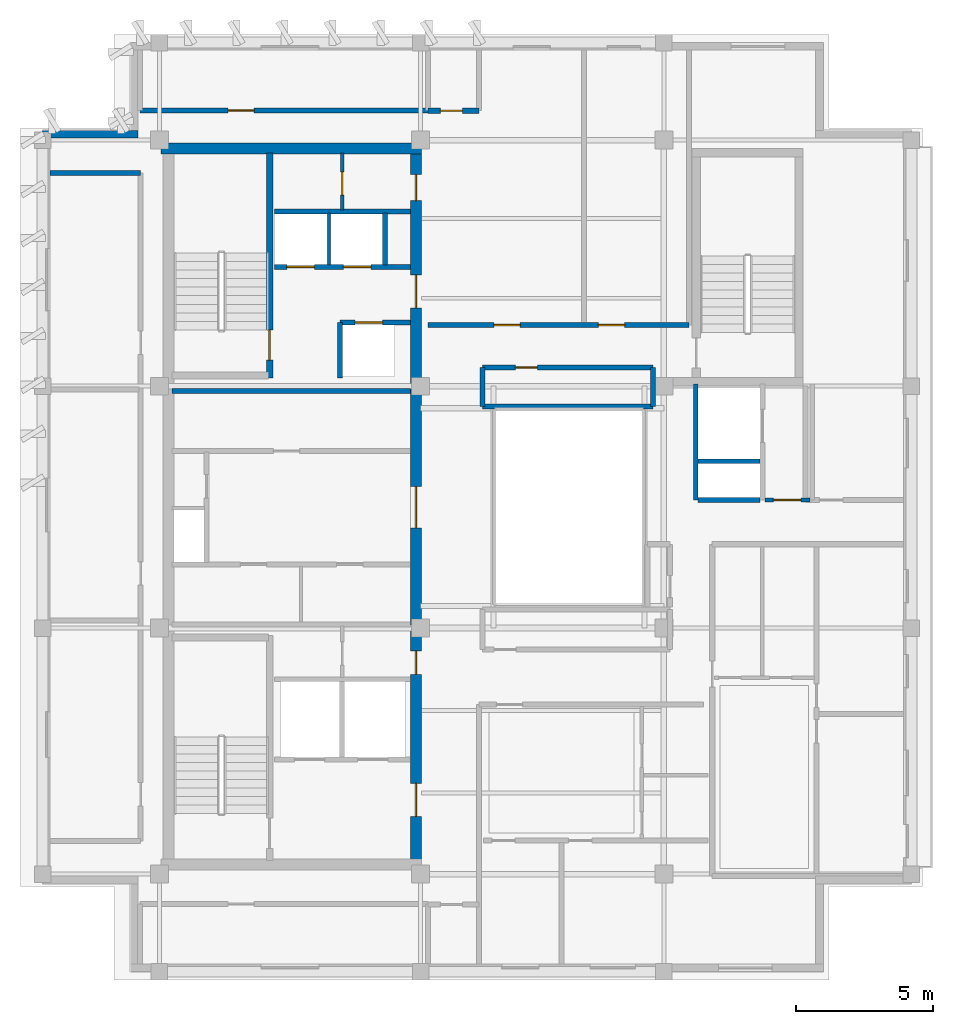
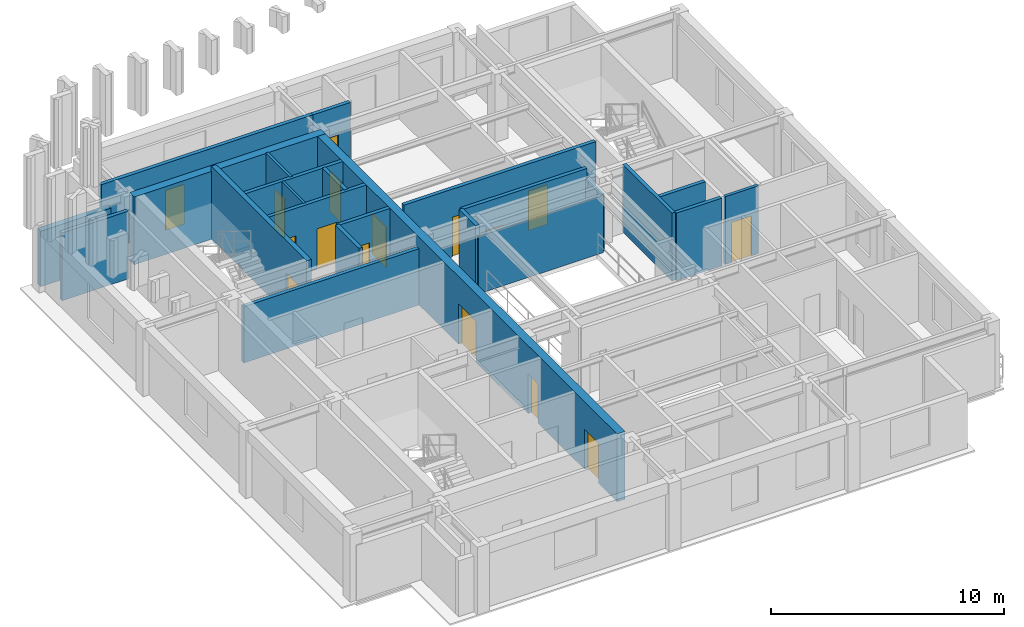
# One storey, part 4 of 9: 24 walls, 16 doors, 16 openings.
"""IFC4 building model written with IfcOpenShell, lengths in metres."""

from ifc_helpers import new_model, si_unit, direction, frame, frame_2d, origin, place, context, subcontext, project, spatial, rectangle, extrude, material, layer, layer_set, type_object, element, fill, save


model = new_model("IFC4")

# Units and contexts
model_context = context("Model", 3, precision=1e-05, world=origin(), true_north=direction((0.0, 1.0)))
body_context = subcontext(model_context, "Body", "Model", "MODEL_VIEW")
ifc_project = project(units=[si_unit("LENGTHUNIT", "METRE"), si_unit("AREAUNIT", "SQUARE_METRE"), si_unit("VOLUMEUNIT", "CUBIC_METRE"), si_unit("PLANEANGLEUNIT", "RADIAN"), si_unit("MASSUNIT", "GRAM", prefix="KILO")], contexts=[model_context])

# Site, building, storey
site_placement = place(None, origin())
site = spatial("IfcSite", under=ifc_project, at=site_placement, CompositionType="ELEMENT")
building_placement = place(site_placement, origin())
building = spatial("IfcBuilding", under=site, at=building_placement, Name="Kundavana Baori Tower", CompositionType="ELEMENT")
storey_placement = place(building_placement, frame((0.0, 0.0, 342.89990234375)))
storey = spatial("IfcBuildingStorey", under=building, at=storey_placement, Name="L85", CompositionType="ELEMENT", Elevation=342.89990234375)

# Wall
ifc_material_1 = material(Name="Concrete C50/60", Category="concrete")
ifc_layer_1 = layer(ifc_material_1, 0.39990234375, Name="WL-CORE-400")
ifc_layer_set_1 = layer_set([ifc_layer_1], Name="Concrete C50/60")
wall_type_1 = type_object("IfcWallType", Name="WL-CORE-400", PredefinedType="SHEAR", material=ifc_layer_set_1)
wall_1_placement = place(storey_placement, frame((15.5, 41.639892578125, 0.0), z_axis=(0.0, 0.0, 1.0), x_axis=(1.0, 0.0, 0.0)))
element("IfcWall", 1, at=wall_1_placement, inside=storey, type_object=wall_type_1, Name="L85 Offset Core North Shear Wall", PredefinedType="SHEAR", context=body_context, shape_type="SweptSolid", body=[
    extrude(rectangle(XDim=9.47998046875, YDim=0.39990234375, at=frame_2d((4.739990234375, 0.0))), origin(), (0.0, 0.0, 1.0), 3.550048828125),
])

# Wall, openings, doors
wall_2_placement = place(storey_placement, frame((24.780029296875, 15.739990234375, 0.0), z_axis=(0.0, 0.0, 1.0), x_axis=(0.0, 1.0, 0.0)))
wall_2 = element("IfcWall", 2, at=wall_2_placement, inside=storey, type_object=wall_type_1, Name="L85 Offset Core East Shear Wall", PredefinedType="SHEAR", context=body_context, shape_type="SweptSolid", body=[
    extrude(rectangle(XDim=25.760009765625, YDim=0.39990234375, at=frame_2d((12.8798828125, 0.0))), origin(), (0.0, 0.0, 1.0), 3.550048828125),
])
opening_1_placement = place(wall_2_placement, frame((1.610107421875, 0.0, 0.0)))
opening_1 = element("IfcOpeningElement", 3, at=opening_1_placement, cuts=wall_2, Name="Opening FD-120", PredefinedType="OPENING", context=body_context, shape_type="SweptSolid", body=[
    extrude(rectangle(XDim=1.199951171875, YDim=2.10009765625, at=frame_2d((0.60009765625, 1.050048828125))), frame((0.0, 0.2099609375, 0.0), z_axis=(0.0, -1.0, 0.0), x_axis=(1.0, 0.0, 0.0)), (0.0, 0.0, 1.0), 0.419921875),
])
opening_2_placement = place(wall_2_placement, frame((6.780029296875, 0.0, 0.0)))
opening_2 = element("IfcOpeningElement", 4, at=opening_2_placement, cuts=wall_2, Name="Opening FD-085", PredefinedType="OPENING", context=body_context, shape_type="SweptSolid", body=[
    extrude(rectangle(XDim=0.85009765625, YDim=2.06005859375, at=frame_2d((0.425048828125, 1.030029296875))), frame((0.0, 0.2099609375, 0.0), z_axis=(0.0, -1.0, 0.0), x_axis=(1.0, 0.0, 0.0)), (0.0, 0.0, 1.0), 0.419921875),
])
opening_3_placement = place(wall_2_placement, frame((12.110107421875, 0.0, 0.0)))
opening_3 = element("IfcOpeningElement", 5, at=opening_3_placement, cuts=wall_2, Name="Opening FD-150", PredefinedType="OPENING", context=body_context, shape_type="SweptSolid", body=[
    extrude(rectangle(XDim=1.5, YDim=2.1201171875, at=frame_2d((0.75, 1.06005859375))), frame((0.0, 0.2099609375, 0.0), z_axis=(0.0, -1.0, 0.0), x_axis=(1.0, 0.0, 0.0)), (0.0, 0.0, 1.0), 0.419921875),
])
opening_4_placement = place(wall_2_placement, frame((20.110107421875, 0.0, 0.0)))
opening_4 = element("IfcOpeningElement", 6, at=opening_4_placement, cuts=wall_2, Name="Opening FD-122", PredefinedType="OPENING", context=body_context, shape_type="SweptSolid", body=[
    extrude(rectangle(XDim=1.199951171875, YDim=2.1201171875, at=frame_2d((0.60009765625, 1.06005859375))), frame((0.0, 0.2099609375, 0.0), z_axis=(0.0, -1.0, 0.0), x_axis=(1.0, 0.0, 0.0)), (0.0, 0.0, 1.0), 0.419921875),
])
opening_5_placement = place(wall_2_placement, frame((24.010009765625, 0.0, 0.0)))
opening_5 = element("IfcOpeningElement", 7, at=opening_5_placement, cuts=wall_2, Name="Opening FD-095", PredefinedType="OPENING", context=body_context, shape_type="SweptSolid", body=[
    extrude(rectangle(XDim=0.949951171875, YDim=2.10009765625, at=frame_2d((0.47509765625, 1.050048828125))), frame((0.0, 0.2099609375, 0.0), z_axis=(0.0, -1.0, 0.0), x_axis=(1.0, 0.0, 0.0)), (0.0, 0.0, 1.0), 0.419921875),
])
ifc_material_2 = material(Name="Galvanised Steel Fire-Rated Door Leaf", Category="steel")
door_type_1 = type_object("IfcDoorType", Name="DR-FD120-1200", OperationType="NOTDEFINED", PredefinedType="DOOR", material=ifc_material_2)
door_1_placement = place(opening_1_placement, frame((1.199951171875, 0.0, 0.0), z_axis=(0.0, 0.0, 1.0), x_axis=(-1.0, 0.0, 0.0)))
door_1 = element("IfcDoor", 8, at=door_1_placement, inside=storey, type_object=door_type_1, Name="DR-L85-FFLOB-E", OperationType="SINGLE_SWING_RIGHT", OverallHeight=2.10009765625, OverallWidth=1.199951171875, PredefinedType="DOOR", context=body_context, shape_type="SweptSolid", body=[
    extrude(rectangle(XDim=1.199951171875, YDim=2.10009765625, at=frame_2d((0.60009765625, 1.050048828125))), frame((0.0, 0.02490234375, 0.0), z_axis=(0.0, -1.0, 0.0), x_axis=(1.0, 0.0, 0.0)), (0.0, 0.0, 1.0), 0.050048828125),
])
fill(opening_1, door_1)
ifc_material_3 = material(Name="Galvanised Steel Fire-Rated Door Leaf", Category="steel")
door_type_2 = type_object("IfcDoorType", Name="DR-FD60-1200", OperationType="NOTDEFINED", PredefinedType="DOOR", material=ifc_material_3)
door_2_placement = place(opening_4_placement, frame((1.199951171875, 0.0, 0.0), z_axis=(0.0, 0.0, 1.0), x_axis=(-1.0, 0.0, 0.0)))
door_2 = element("IfcDoor", 9, at=door_2_placement, inside=storey, type_object=door_type_2, Name="DR-L85-HRLOB-E", OperationType="SINGLE_SWING_RIGHT", OverallHeight=2.1201171875, OverallWidth=1.199951171875, PredefinedType="DOOR", context=body_context, shape_type="SweptSolid", body=[
    extrude(rectangle(XDim=1.199951171875, YDim=2.1201171875, at=frame_2d((0.60009765625, 1.06005859375))), frame((0.0, 0.02490234375, 0.0), z_axis=(0.0, -1.0, 0.0), x_axis=(1.0, 0.0, 0.0)), (0.0, 0.0, 1.0), 0.050048828125),
])
fill(opening_4, door_2)
ifc_material_4 = material(Name="Galvanised Steel Fire-Rated Door Leaf", Category="steel")
door_type_3 = type_object("IfcDoorType", Name="DR-FD60-1500", OperationType="NOTDEFINED", PredefinedType="DOOR", material=ifc_material_4)
door_3_placement = place(opening_3_placement, frame((1.5, 0.0, 0.0), z_axis=(0.0, 0.0, 1.0), x_axis=(-1.0, 0.0, 0.0)))
door_3 = element("IfcDoor", 10, at=door_3_placement, inside=storey, type_object=door_type_3, Name="DR-L85-LIFTHALL-E", OperationType="SINGLE_SWING_LEFT", OverallHeight=2.1201171875, OverallWidth=1.5, PredefinedType="DOOR", context=body_context, shape_type="SweptSolid", body=[
    extrude(rectangle(XDim=1.5, YDim=2.1201171875, at=frame_2d((0.75, 1.06005859375))), frame((0.0, 0.02490234375, 0.0), z_axis=(0.0, -1.0, 0.0), x_axis=(1.0, 0.0, 0.0)), (0.0, 0.0, 1.0), 0.050048828125),
])
fill(opening_3, door_3)
ifc_material_5 = material(Name="Galvanised Steel Fire-Rated Door Leaf", Category="steel")
door_type_4 = type_object("IfcDoorType", Name="DR-FD60-850", OperationType="NOTDEFINED", PredefinedType="DOOR", material=ifc_material_5)
door_4_placement = place(opening_2_placement, frame((0.85009765625, 0.0, 0.0), z_axis=(0.0, 0.0, 1.0), x_axis=(-1.0, 0.0, 0.0)))
door_4 = element("IfcDoor", 11, at=door_4_placement, inside=storey, type_object=door_type_4, Name="DR-L85-CSMK2", OperationType="SINGLE_SWING_RIGHT", OverallHeight=2.06005859375, OverallWidth=0.85009765625, PredefinedType="DOOR", context=body_context, shape_type="SweptSolid", body=[
    extrude(rectangle(XDim=0.85009765625, YDim=2.06005859375, at=frame_2d((0.425048828125, 1.030029296875))), frame((0.0, 0.02490234375, 0.0), z_axis=(0.0, -1.0, 0.0), x_axis=(1.0, 0.0, 0.0)), (0.0, 0.0, 1.0), 0.050048828125),
])
fill(opening_2, door_4)
ifc_material_6 = material(Name="Engineered Teak Fire-Rated Timber Door Leaf", Category="wood")
door_type_5 = type_object("IfcDoorType", Name="DR-FD60-950", OperationType="NOTDEFINED", PredefinedType="DOOR", material=ifc_material_6)
door_5_placement = place(opening_5_placement, frame((0.949951171875, 0.0, 0.0), z_axis=(0.0, 0.0, 1.0), x_axis=(-1.0, 0.0, 0.0)))
door_5 = element("IfcDoor", 12, at=door_5_placement, inside=storey, type_object=door_type_5, Name="DR-L85-CSRV2", OperationType="SINGLE_SWING_RIGHT", OverallHeight=2.10009765625, OverallWidth=0.949951171875, PredefinedType="DOOR", context=body_context, shape_type="SweptSolid", body=[
    extrude(rectangle(XDim=0.949951171875, YDim=2.10009765625, at=frame_2d((0.47509765625, 1.050048828125))), frame((0.0, 0.02490234375, 0.0), z_axis=(0.0, -1.0, 0.0), x_axis=(1.0, 0.0, 0.0)), (0.0, 0.0, 1.0), 0.050048828125),
])
fill(opening_5, door_5)

# Wall, opening, door
wall_3_placement = place(storey_placement, frame((19.4599609375, 33.300048828125, 0.0), z_axis=(0.0, 0.0, 1.0), x_axis=(0.0, 1.0, 0.0)))
wall_3 = element("IfcWall", 13, at=wall_3_placement, inside=storey, type_object=wall_type_1, Name="WL-L85-ST2-E", PredefinedType="SHEAR", context=body_context, shape_type="SweptSolid", body=[
    extrude(rectangle(XDim=8.179931640625, YDim=0.239990234375, at=frame_2d((4.08984375, 0.0))), origin(), (0.0, 0.0, 1.0), 3.800048828125),
])
opening_6_placement = place(wall_3_placement, frame((0.64990234375, 0.0, 0.0)))
opening_6 = element("IfcOpeningElement", 14, at=opening_6_placement, cuts=wall_3, Name="Opening FD-110", PredefinedType="OPENING", context=body_context, shape_type="SweptSolid", body=[
    extrude(rectangle(XDim=1.10009765625, YDim=2.10009765625, at=frame_2d((0.550048828125, 1.050048828125))), frame((0.0, 0.1298828125, 0.0), z_axis=(0.0, -1.0, 0.0), x_axis=(1.0, 0.0, 0.0)), (0.0, 0.0, 1.0), 0.260009765625),
])
ifc_material_7 = material(Name="Galvanised Steel Fire-Rated Door Leaf", Category="steel")
door_type_6 = type_object("IfcDoorType", Name="DR-FD120-1100", OperationType="NOTDEFINED", PredefinedType="DOOR", material=ifc_material_7)
door_6_placement = place(opening_6_placement, origin())
door_6 = element("IfcDoor", 15, at=door_6_placement, inside=storey, type_object=door_type_6, Name="DR-L85-ST2", OperationType="SINGLE_SWING_RIGHT", OverallHeight=2.10009765625, OverallWidth=1.10009765625, PredefinedType="DOOR", context=body_context, shape_type="SweptSolid", body=[
    extrude(rectangle(XDim=1.10009765625, YDim=2.10009765625, at=frame_2d((0.550048828125, 1.050048828125))), frame((0.0, 0.02490234375, 0.0), z_axis=(0.0, -1.0, 0.0), x_axis=(1.0, 0.0, 0.0)), (0.0, 0.0, 1.0), 0.050048828125),
])
fill(opening_6, door_6)

# Walls
ifc_material_8 = material(Name="Red-Buff Dholpur Sandstone Cladding on Concrete C40/50", Category="masonry")
ifc_layer_2 = layer(ifc_material_8, 0.280029296875, Name="WL-EXT-SAND-280")
ifc_layer_set_2 = layer_set([ifc_layer_2], Name="Red-Buff Dholpur Sandstone Cladding on Concrete C40/50")
wall_type_2 = type_object("IfcWallType", Name="WL-EXT-SAND-280", PredefinedType="STANDARD", material=ifc_layer_set_2)
wall_4_placement = place(storey_placement, frame((14.679931640625, 42.159912109375, 0.0), z_axis=(0.0, 0.0, 1.0), x_axis=(-1.0, 0.0, 0.0)))
element("IfcWall", 16, at=wall_4_placement, inside=storey, type_object=wall_type_2, Name="L85 Exterior Insulated Facade Wall 09", PredefinedType="STANDARD", context=body_context, shape_type="SweptSolid", body=[
    extrude(rectangle(XDim=3.47998046875, YDim=0.280029296875, at=frame_2d((1.739990234375, 0.0))), origin(), (0.0, 0.0, 1.0), 2.91015625),
])
ifc_material_9 = material(Name="Acoustic Gypsum Plasterboard on Galvanised Steel Studs", Category="steel")
ifc_layer_3 = layer(ifc_material_9, 0.1201171875, Name="WL-PART-120")
ifc_layer_set_3 = layer_set([ifc_layer_3], Name="Acoustic Gypsum Plasterboard on Galvanised Steel Studs")
wall_type_3 = type_object("IfcWallType", Name="WL-PART-120", PredefinedType="PARTITIONING", material=ifc_layer_set_3)
wall_5_placement = place(storey_placement, frame((21.6201171875, 37.39990234375, 0.0), z_axis=(0.0, 0.0, 1.0), x_axis=(0.0, 1.0, 0.0)))
element("IfcWall", 17, at=wall_5_placement, inside=storey, type_object=wall_type_3, Name="WL-L85-HR-DIV1", PredefinedType="PARTITIONING", context=body_context, shape_type="SweptSolid", body=[
    extrude(rectangle(XDim=1.900146484375, YDim=0.1201171875, at=frame_2d((0.9501953125, 0.0))), origin(), (0.0, 0.0, 1.0), 3.550048828125),
])

# Wall, opening, door
wall_6_placement = place(storey_placement, frame((22.10009765625, 39.39990234375, 0.0), z_axis=(0.0, 0.0, 1.0), x_axis=(0.0, 1.0, 0.0)))
wall_6 = element("IfcWall", 18, at=wall_6_placement, inside=storey, type_object=wall_type_3, Name="WL-L85-CSRV-D1", PredefinedType="PARTITIONING", context=body_context, shape_type="SweptSolid", body=[
    extrude(rectangle(XDim=2.080078125, YDim=0.1201171875, at=frame_2d((1.0400390625, 0.0))), origin(), (0.0, 0.0, 1.0), 3.550048828125),
])
opening_7_placement = place(wall_6_placement, frame((0.550048828125, 0.0, 0.0)))
opening_7 = element("IfcOpeningElement", 19, at=opening_7_placement, cuts=wall_6, Name="Opening FD-085", PredefinedType="OPENING", context=body_context, shape_type="SweptSolid", body=[
    extrude(rectangle(XDim=0.85009765625, YDim=2.06005859375, at=frame_2d((0.425048828125, 1.030029296875))), frame((0.0, 0.070068359375, 0.0), z_axis=(0.0, -1.0, 0.0), x_axis=(1.0, 0.0, 0.0)), (0.0, 0.0, 1.0), 0.14013671875),
])
door_7_placement = place(opening_7_placement, origin())
door_7 = element("IfcDoor", 20, at=door_7_placement, inside=storey, type_object=door_type_4, Name="DR-L85-CSRV1", OperationType="SINGLE_SWING_LEFT", OverallHeight=2.06005859375, OverallWidth=0.85009765625, PredefinedType="DOOR", context=body_context, shape_type="SweptSolid", body=[
    extrude(rectangle(XDim=0.85009765625, YDim=2.06005859375, at=frame_2d((0.425048828125, 1.030029296875))), frame((0.0, 0.02490234375, 0.0), z_axis=(0.0, -1.0, 0.0), x_axis=(1.0, 0.0, 0.0)), (0.0, 0.0, 1.0), 0.050048828125),
])
fill(opening_7, door_7)

ifc_material_10 = material(Name="Fire-Rated Gypsum Drywall on Galvanised Steel Studs", Category="steel")
ifc_layer_4 = layer(ifc_material_10, 0.14990234375, Name="WL-PART-150")
ifc_layer_set_4 = layer_set([ifc_layer_4], Name="Fire-Rated Gypsum Drywall on Galvanised Steel Studs")
wall_type_4 = type_object("IfcWallType", Name="WL-PART-150", PredefinedType="PARTITIONING", material=ifc_layer_set_4)
wall_7_placement = place(storey_placement, frame((37.47998046875, 28.860107421875, 0.0), z_axis=(0.0, 0.0, 1.0), x_axis=(1.0, 0.0, 0.0)))
wall_7 = element("IfcWall", 21, at=wall_7_placement, inside=storey, type_object=wall_type_4, Name="WL-L85-SVLOB-S", PredefinedType="PARTITIONING", context=body_context, shape_type="SweptSolid", body=[
    extrude(rectangle(XDim=1.64013671875, YDim=0.14990234375, at=frame_2d((0.820068359375, 0.0))), origin(), (0.0, 0.0, 1.0), 3.550048828125),
])
opening_8_placement = place(wall_7_placement, frame((0.300048828125, 0.0, 0.0)))
opening_8 = element("IfcOpeningElement", 22, at=opening_8_placement, cuts=wall_7, Name="Opening FD-100", PredefinedType="OPENING", context=body_context, shape_type="SweptSolid", body=[
    extrude(rectangle(XDim=1.0, YDim=2.10009765625, at=frame_2d((0.5, 1.050048828125))), frame((0.0, 0.0849609375, 0.0), z_axis=(0.0, -1.0, 0.0), x_axis=(1.0, 0.0, 0.0)), (0.0, 0.0, 1.0), 0.169921875),
])
ifc_material_11 = material(Name="Engineered Teak Fire-Rated Timber Door Leaf", Category="wood")
door_type_7 = type_object("IfcDoorType", Name="DR-FD60-1000", OperationType="NOTDEFINED", PredefinedType="DOOR", material=ifc_material_11)
door_8_placement = place(opening_8_placement, origin())
door_8 = element("IfcDoor", 23, at=door_8_placement, inside=storey, type_object=door_type_7, Name="DR-L85-SVLOB-OUT", OperationType="SINGLE_SWING_LEFT", OverallHeight=2.10009765625, OverallWidth=1.0, PredefinedType="DOOR", context=body_context, shape_type="SweptSolid", body=[
    extrude(rectangle(XDim=1.0, YDim=2.10009765625, at=frame_2d((0.5, 1.050048828125))), frame((0.0, 0.02490234375, 0.0), z_axis=(0.0, -1.0, 0.0), x_axis=(1.0, 0.0, 0.0)), (0.0, 0.0, 1.0), 0.050048828125),
])
fill(opening_8, door_8)

# Wall, openings, doors
ifc_material_12 = material(Name="Autoclaved Aerated Concrete Blockwork Masonry", Category="masonry")
ifc_layer_5 = layer(ifc_material_12, 0.18505859375, Name="WL-PART-180")
ifc_layer_set_5 = layer_set([ifc_layer_5], Name="Autoclaved Aerated Concrete Blockwork Masonry")
wall_type_5 = type_object("IfcWallType", Name="WL-PART-180", PredefinedType="SOLIDWALL", material=ifc_layer_set_5)
wall_8_placement = place(storey_placement, frame((25.219970703125, 35.219970703125, 0.0), z_axis=(0.0, 0.0, 1.0), x_axis=(1.0, 0.0, 0.0)))
wall_8 = element("IfcWall", 24, at=wall_8_placement, inside=storey, type_object=wall_type_5, Name="WL-L85-RN", PredefinedType="SOLIDWALL", context=body_context, shape_type="SweptSolid", body=[
    extrude(rectangle(XDim=9.5, YDim=0.18505859375, at=frame_2d((4.75, 0.0))), origin(), (0.0, 0.0, 1.0), 3.550048828125),
])
opening_9_placement = place(wall_8_placement, frame((2.39990234375, 0.0, 0.0)))
opening_9 = element("IfcOpeningElement", 25, at=opening_9_placement, cuts=wall_8, Name="Opening ID-095", PredefinedType="OPENING", context=body_context, shape_type="SweptSolid", body=[
    extrude(rectangle(XDim=0.949951171875, YDim=2.080078125, at=frame_2d((0.47509765625, 1.0400390625))), frame((0.0, 0.1025390625, 0.0), z_axis=(0.0, -1.0, 0.0), x_axis=(1.0, 0.0, 0.0)), (0.0, 0.0, 1.0), 0.205078125),
])
opening_10_placement = place(wall_8_placement, frame((6.199951171875, 0.0, 0.0)))
opening_10 = element("IfcOpeningElement", 26, at=opening_10_placement, cuts=wall_8, Name="Opening ID-095", PredefinedType="OPENING", context=body_context, shape_type="SweptSolid", body=[
    extrude(rectangle(XDim=0.949951171875, YDim=2.080078125, at=frame_2d((0.47509765625, 1.0400390625))), frame((0.0, 0.1025390625, 0.0), z_axis=(0.0, -1.0, 0.0), x_axis=(1.0, 0.0, 0.0)), (0.0, 0.0, 1.0), 0.205078125),
])
ifc_material_13 = material(Name="Engineered Teak Solid-Core Timber Veneer", Category="wood")
door_type_8 = type_object("IfcDoorType", Name="DR-INT-950", OperationType="NOTDEFINED", PredefinedType="DOOR", material=ifc_material_13)
door_9_placement = place(opening_9_placement, origin())
door_9 = element("IfcDoor", 27, at=door_9_placement, inside=storey, type_object=door_type_8, Name="DR-L85-RLN1", OperationType="SINGLE_SWING_LEFT", OverallHeight=2.080078125, OverallWidth=0.949951171875, PredefinedType="DOOR", context=body_context, shape_type="SweptSolid", body=[
    extrude(rectangle(XDim=0.949951171875, YDim=2.080078125, at=frame_2d((0.47509765625, 1.0400390625))), frame((0.0, 0.02490234375, 0.0), z_axis=(0.0, -1.0, 0.0), x_axis=(1.0, 0.0, 0.0)), (0.0, 0.0, 1.0), 0.050048828125),
])
fill(opening_9, door_9)
door_10_placement = place(opening_10_placement, origin())
door_10 = element("IfcDoor", 28, at=door_10_placement, inside=storey, type_object=door_type_8, Name="DR-L85-RLN2", OperationType="SINGLE_SWING_RIGHT", OverallHeight=2.080078125, OverallWidth=0.949951171875, PredefinedType="DOOR", context=body_context, shape_type="SweptSolid", body=[
    extrude(rectangle(XDim=0.949951171875, YDim=2.080078125, at=frame_2d((0.47509765625, 1.0400390625))), frame((0.0, 0.02490234375, 0.0), z_axis=(0.0, -1.0, 0.0), x_axis=(1.0, 0.0, 0.0)), (0.0, 0.0, 1.0), 0.050048828125),
])
fill(opening_10, door_10)

# Wall, opening, door
wall_9_placement = place(storey_placement, frame((14.75, 43.030029296875, 0.0), z_axis=(0.0, 0.0, 1.0), x_axis=(1.0, 0.0, 0.0)))
wall_9 = element("IfcWall", 29, at=wall_9_placement, inside=storey, type_object=wall_type_5, Name="WL-L85-RNC", PredefinedType="SOLIDWALL", context=body_context, shape_type="SweptSolid", body=[
    extrude(rectangle(XDim=10.469970703125, YDim=0.18505859375, at=frame_2d((5.23486328125, 0.0))), origin(), (0.0, 0.0, 1.0), 3.550048828125),
])
opening_11_placement = place(wall_9_placement, frame((3.199951171875, 0.0, 0.0)))
opening_11 = element("IfcOpeningElement", 30, at=opening_11_placement, cuts=wall_9, Name="Opening ID-095", PredefinedType="OPENING", context=body_context, shape_type="SweptSolid", body=[
    extrude(rectangle(XDim=0.949951171875, YDim=2.080078125, at=frame_2d((0.47509765625, 1.0400390625))), frame((0.0, 0.1025390625, 0.0), z_axis=(0.0, -1.0, 0.0), x_axis=(1.0, 0.0, 0.0)), (0.0, 0.0, 1.0), 0.205078125),
])
door_11_placement = place(opening_11_placement, origin())
door_11 = element("IfcDoor", 31, at=door_11_placement, inside=storey, type_object=door_type_8, Name="DR-L85-RMNW", OperationType="SINGLE_SWING_RIGHT", OverallHeight=2.080078125, OverallWidth=0.949951171875, PredefinedType="DOOR", context=body_context, shape_type="SweptSolid", body=[
    extrude(rectangle(XDim=0.949951171875, YDim=2.080078125, at=frame_2d((0.47509765625, 1.0400390625))), frame((0.0, 0.02490234375, 0.0), z_axis=(0.0, -1.0, 0.0), x_axis=(1.0, 0.0, 0.0)), (0.0, 0.0, 1.0), 0.050048828125),
])
fill(opening_11, door_11)

# Wall
wall_10_placement = place(storey_placement, frame((11.47998046875, 40.75, 0.0), z_axis=(0.0, 0.0, 1.0), x_axis=(1.0, 0.0, 0.0)))
element("IfcWall", 32, at=wall_10_placement, inside=storey, type_object=wall_type_5, Name="WL-L85-RWN", PredefinedType="SOLIDWALL", context=body_context, shape_type="SweptSolid", body=[
    extrude(rectangle(XDim=3.2900390625, YDim=0.18505859375, at=frame_2d((1.64501953125, 0.0))), origin(), (0.0, 0.0, 1.0), 3.550048828125),
])

# Wall, opening, door
wall_11_placement = place(storey_placement, frame((25.219970703125, 43.02001953125, 0.0), z_axis=(0.0, 0.0, 1.0), x_axis=(1.0, 0.0, 0.0)))
wall_11 = element("IfcWall", 33, at=wall_11_placement, inside=storey, type_object=wall_type_5, Name="WL-L85-CNCS", PredefinedType="SOLIDWALL", context=body_context, shape_type="SweptSolid", body=[
    extrude(rectangle(XDim=1.860107421875, YDim=0.18505859375, at=frame_2d((0.93017578125, 0.0))), origin(), (0.0, 0.0, 1.0), 3.550048828125),
])
opening_12_placement = place(wall_11_placement, frame((0.449951171875, 0.0, 0.0)))
opening_12 = element("IfcOpeningElement", 34, at=opening_12_placement, cuts=wall_11, Name="Opening WD-080", PredefinedType="OPENING", context=body_context, shape_type="SweptSolid", body=[
    extrude(rectangle(XDim=0.800048828125, YDim=2.050048828125, at=frame_2d((0.39990234375, 1.02490234375))), frame((0.0, 0.1025390625, 0.0), z_axis=(0.0, -1.0, 0.0), x_axis=(1.0, 0.0, 0.0)), (0.0, 0.0, 1.0), 0.205078125),
])
ifc_material_14 = material(Name="Engineered Teak Solid-Core Timber Veneer", Category="wood")
door_type_9 = type_object("IfcDoorType", Name="DR-WET-800", OperationType="NOTDEFINED", PredefinedType="DOOR", material=ifc_material_14)
door_12_placement = place(opening_12_placement, frame((0.800048828125, 0.0, 0.0), z_axis=(0.0, 0.0, 1.0), x_axis=(-1.0, 0.0, 0.0)))
door_12 = element("IfcDoor", 35, at=door_12_placement, inside=storey, type_object=door_type_9, Name="DR-L85-CSCN", OperationType="SINGLE_SWING_LEFT", OverallHeight=2.050048828125, OverallWidth=0.800048828125, PredefinedType="DOOR", context=body_context, shape_type="SweptSolid", body=[
    extrude(rectangle(XDim=0.800048828125, YDim=2.050048828125, at=frame_2d((0.39990234375, 1.02490234375))), frame((0.0, 0.02490234375, 0.0), z_axis=(0.0, -1.0, 0.0), x_axis=(1.0, 0.0, 0.0)), (0.0, 0.0, 1.0), 0.050048828125),
])
fill(opening_12, door_12)

wall_12_placement = place(storey_placement, frame((27.199951171875, 33.679931640625, 0.0), z_axis=(0.0, 0.0, 1.0), x_axis=(1.0, 0.0, 0.0)))
wall_12 = element("IfcWall", 36, at=wall_12_placement, inside=storey, type_object=wall_type_5, Name="WL-L85-CNAN", PredefinedType="SOLIDWALL", context=body_context, shape_type="SweptSolid", body=[
    extrude(rectangle(XDim=6.199951171875, YDim=0.18505859375, at=frame_2d((3.10009765625, 0.0))), origin(), (0.0, 0.0, 1.0), 3.550048828125),
])
opening_13_placement = place(wall_12_placement, frame((1.199951171875, 0.0, 0.0)))
opening_13 = element("IfcOpeningElement", 37, at=opening_13_placement, cuts=wall_12, Name="Opening WD-080", PredefinedType="OPENING", context=body_context, shape_type="SweptSolid", body=[
    extrude(rectangle(XDim=0.800048828125, YDim=2.050048828125, at=frame_2d((0.39990234375, 1.02490234375))), frame((0.0, 0.1025390625, 0.0), z_axis=(0.0, -1.0, 0.0), x_axis=(1.0, 0.0, 0.0)), (0.0, 0.0, 1.0), 0.205078125),
])
door_13_placement = place(opening_13_placement, frame((0.800048828125, 0.0, 0.0), z_axis=(0.0, 0.0, 1.0), x_axis=(-1.0, 0.0, 0.0)))
door_13 = element("IfcDoor", 38, at=door_13_placement, inside=storey, type_object=door_type_9, Name="DR-L85-CSNA", OperationType="SINGLE_SWING_LEFT", OverallHeight=2.050048828125, OverallWidth=0.800048828125, PredefinedType="DOOR", context=body_context, shape_type="SweptSolid", body=[
    extrude(rectangle(XDim=0.800048828125, YDim=2.050048828125, at=frame_2d((0.39990234375, 1.02490234375))), frame((0.0, 0.02490234375, 0.0), z_axis=(0.0, -1.0, 0.0), x_axis=(1.0, 0.0, 0.0)), (0.0, 0.0, 1.0), 0.050048828125),
])
fill(opening_13, door_13)

# Walls
wall_13_placement = place(storey_placement, frame((27.199951171875, 32.260009765625, 0.0), z_axis=(0.0, 0.0, 1.0), x_axis=(1.0, 0.0, 0.0)))
element("IfcWall", 39, at=wall_13_placement, inside=storey, type_object=wall_type_5, Name="WL-L85-CNAS", PredefinedType="SOLIDWALL", context=body_context, shape_type="SweptSolid", body=[
    extrude(rectangle(XDim=6.199951171875, YDim=0.18505859375, at=frame_2d((3.10009765625, 0.0))), origin(), (0.0, 0.0, 1.0), 3.0),
])
wall_14_placement = place(storey_placement, frame((27.199951171875, 32.260009765625, 0.0), z_axis=(0.0, 0.0, 1.0), x_axis=(0.0, 1.0, 0.0)))
element("IfcWall", 40, at=wall_14_placement, inside=storey, type_object=wall_type_5, Name="WL-L85-CNAW", PredefinedType="SOLIDWALL", context=body_context, shape_type="SweptSolid", body=[
    extrude(rectangle(XDim=1.419921875, YDim=0.18505859375, at=frame_2d((0.7099609375, 0.0))), origin(), (0.0, 0.0, 1.0), 3.550048828125),
])
wall_15_placement = place(storey_placement, frame((33.39990234375, 32.260009765625, 0.0), z_axis=(0.0, 0.0, 1.0), x_axis=(0.0, 1.0, 0.0)))
element("IfcWall", 41, at=wall_15_placement, inside=storey, type_object=wall_type_5, Name="WL-L85-CNAE", PredefinedType="SOLIDWALL", context=body_context, shape_type="SweptSolid", body=[
    extrude(rectangle(XDim=1.419921875, YDim=0.18505859375, at=frame_2d((0.7099609375, 0.0))), origin(), (0.0, 0.0, 1.0), 3.0),
])
ifc_material_15 = material(Name="Autoclaved Aerated Concrete Blockwork Masonry", Category="masonry")
ifc_layer_6 = layer(ifc_material_15, 0.179931640625, Name="WL-SHAFT-180")
ifc_layer_set_6 = layer_set([ifc_layer_6], Name="Autoclaved Aerated Concrete Blockwork Masonry")
wall_type_6 = type_object("IfcWallType", Name="WL-SHAFT-180", PredefinedType="SOLIDWALL", material=ifc_layer_set_6)
wall_16_placement = place(storey_placement, frame((15.89990234375, 32.820068359375, 0.0), z_axis=(0.0, 0.0, 1.0), x_axis=(1.0, 0.0, 0.0)))
element("IfcWall", 42, at=wall_16_placement, inside=storey, type_object=wall_type_6, Name="WL-L85-LPMID-N", PredefinedType="SOLIDWALL", context=body_context, shape_type="SweptSolid", body=[
    extrude(rectangle(XDim=8.68017578125, YDim=0.179931640625, at=frame_2d((4.340087890625, 0.0))), origin(), (0.0, 0.0, 1.0), 2.9501953125),
])

# Wall, opening, door
wall_17_placement = place(storey_placement, frame((22.02001953125, 35.31005859375, 0.0), z_axis=(0.0, 0.0, 1.0), x_axis=(1.0, 0.0, 0.0)))
wall_17 = element("IfcWall", 43, at=wall_17_placement, inside=storey, type_object=wall_type_6, Name="WL-L85-LP11-N", PredefinedType="SOLIDWALL", context=body_context, shape_type="SweptSolid", body=[
    extrude(rectangle(XDim=2.56005859375, YDim=0.179931640625, at=frame_2d((1.280029296875, 0.0))), origin(), (0.0, 0.0, 1.0), 3.550048828125),
])
opening_14_placement = place(wall_17_placement, frame((0.550048828125, 0.0, 0.0)))
opening_14 = element("IfcOpeningElement", 44, at=opening_14_placement, cuts=wall_17, Name="Opening LD-100", PredefinedType="OPENING", context=body_context, shape_type="SweptSolid", body=[
    extrude(rectangle(XDim=1.0, YDim=2.10009765625, at=frame_2d((0.5, 1.050048828125))), frame((0.0, 0.10009765625, 0.0), z_axis=(0.0, -1.0, 0.0), x_axis=(1.0, 0.0, 0.0)), (0.0, 0.0, 1.0), 0.199951171875),
])
ifc_material_16 = material(Name="Galvanised Steel Fire-Rated Door Leaf", Category="steel")
door_type_10 = type_object("IfcDoorType", Name="DR-SLIDE-LD1000", OperationType="NOTDEFINED", PredefinedType="DOOR", material=ifc_material_16)
door_14_placement = place(opening_14_placement, origin())
door_14 = element("IfcDoor", 45, at=door_14_placement, inside=storey, type_object=door_type_10, Name="DR-L85-LD-LP11", OperationType="DOUBLE_DOOR_SLIDING", OverallHeight=2.10009765625, OverallWidth=1.0, PredefinedType="DOOR", context=body_context, shape_type="SweptSolid", body=[
    extrude(rectangle(XDim=1.0, YDim=2.10009765625, at=frame_2d((0.5, 1.050048828125))), frame((0.0, 0.02490234375, 0.0), z_axis=(0.0, -1.0, 0.0), x_axis=(1.0, 0.0, 0.0)), (0.0, 0.0, 1.0), 0.050048828125),
])
fill(opening_14, door_14)

# Wall
wall_18_placement = place(storey_placement, frame((22.02001953125, 33.300048828125, 0.0), z_axis=(0.0, 0.0, 1.0), x_axis=(0.0, 1.0, 0.0)))
element("IfcWall", 46, at=wall_18_placement, inside=storey, type_object=wall_type_6, Name="WL-L85-LP11-W", PredefinedType="SOLIDWALL", context=body_context, shape_type="SweptSolid", body=[
    extrude(rectangle(XDim=2.010009765625, YDim=0.179931640625, at=frame_2d((1.0048828125, 0.0))), origin(), (0.0, 0.0, 1.0), 3.550048828125),
])

# Wall, openings, doors
wall_19_placement = place(storey_placement, frame((19.639892578125, 37.340087890625, 0.0), z_axis=(0.0, 0.0, 1.0), x_axis=(1.0, 0.0, 0.0)))
wall_19 = element("IfcWall", 47, at=wall_19_placement, inside=storey, type_object=wall_type_6, Name="WL-L85-HRLOB-N", PredefinedType="SOLIDWALL", context=body_context, shape_type="SweptSolid", body=[
    extrude(rectangle(XDim=4.940185546875, YDim=0.179931640625, at=frame_2d((2.47021484375, 0.0))), origin(), (0.0, 0.0, 1.0), 3.550048828125),
])
opening_15_placement = place(wall_19_placement, frame((0.449951171875, 0.0, 0.0)))
opening_15 = element("IfcOpeningElement", 48, at=opening_15_placement, cuts=wall_19, Name="Opening LD-100", PredefinedType="OPENING", context=body_context, shape_type="SweptSolid", body=[
    extrude(rectangle(XDim=1.0, YDim=2.10009765625, at=frame_2d((0.5, 1.050048828125))), frame((0.0, 0.10009765625, 0.0), z_axis=(0.0, -1.0, 0.0), x_axis=(1.0, 0.0, 0.0)), (0.0, 0.0, 1.0), 0.199951171875),
])
opening_16_placement = place(wall_19_placement, frame((2.5, 0.0, 0.0)))
opening_16 = element("IfcOpeningElement", 49, at=opening_16_placement, cuts=wall_19, Name="Opening LD-100", PredefinedType="OPENING", context=body_context, shape_type="SweptSolid", body=[
    extrude(rectangle(XDim=1.0, YDim=2.10009765625, at=frame_2d((0.5, 1.050048828125))), frame((0.0, 0.10009765625, 0.0), z_axis=(0.0, -1.0, 0.0), x_axis=(1.0, 0.0, 0.0)), (0.0, 0.0, 1.0), 0.199951171875),
])
door_15_placement = place(opening_15_placement, frame((1.0, 0.0, 0.0), z_axis=(0.0, 0.0, 1.0), x_axis=(-1.0, 0.0, 0.0)))
door_15 = element("IfcDoor", 50, at=door_15_placement, inside=storey, type_object=door_type_10, Name="DR-L85-LD-LP09", OperationType="DOUBLE_DOOR_SLIDING", OverallHeight=2.10009765625, OverallWidth=1.0, PredefinedType="DOOR", context=body_context, shape_type="SweptSolid", body=[
    extrude(rectangle(XDim=1.0, YDim=2.10009765625, at=frame_2d((0.5, 1.050048828125))), frame((0.0, 0.02490234375, 0.0), z_axis=(0.0, -1.0, 0.0), x_axis=(1.0, 0.0, 0.0)), (0.0, 0.0, 1.0), 0.050048828125),
])
fill(opening_15, door_15)
door_16_placement = place(opening_16_placement, frame((1.0, 0.0, 0.0), z_axis=(0.0, 0.0, 1.0), x_axis=(-1.0, 0.0, 0.0)))
door_16 = element("IfcDoor", 51, at=door_16_placement, inside=storey, type_object=door_type_10, Name="DR-L85-LD-LP10", OperationType="DOUBLE_DOOR_SLIDING", OverallHeight=2.10009765625, OverallWidth=1.0, PredefinedType="DOOR", context=body_context, shape_type="SweptSolid", body=[
    extrude(rectangle(XDim=1.0, YDim=2.10009765625, at=frame_2d((0.5, 1.050048828125))), frame((0.0, 0.02490234375, 0.0), z_axis=(0.0, -1.0, 0.0), x_axis=(1.0, 0.0, 0.0)), (0.0, 0.0, 1.0), 0.050048828125),
])
fill(opening_16, door_16)

# Walls
wall_20_placement = place(storey_placement, frame((19.639892578125, 39.360107421875, 0.0), z_axis=(0.0, 0.0, 1.0), x_axis=(1.0, 0.0, 0.0)))
element("IfcWall", 52, at=wall_20_placement, inside=storey, type_object=wall_type_6, Name="WL-L85-HRLOB-TOP", PredefinedType="SOLIDWALL", context=body_context, shape_type="SweptSolid", body=[
    extrude(rectangle(XDim=4.940185546875, YDim=0.179931640625, at=frame_2d((2.47021484375, 0.0))), origin(), (0.0, 0.0, 1.0), 3.550048828125),
])
wall_21_placement = place(storey_placement, frame((23.659912109375, 37.39990234375, 0.0), z_axis=(0.0, 0.0, 1.0), x_axis=(0.0, 1.0, 0.0)))
element("IfcWall", 53, at=wall_21_placement, inside=storey, type_object=wall_type_6, Name="WL-L85-HR-DIV2", PredefinedType="SOLIDWALL", context=body_context, shape_type="SweptSolid", body=[
    extrude(rectangle(XDim=1.900146484375, YDim=0.179931640625, at=frame_2d((0.9501953125, 0.0))), origin(), (0.0, 0.0, 1.0), 3.550048828125),
])
wall_22_placement = place(storey_placement, frame((34.9599609375, 28.860107421875, 0.0), z_axis=(0.0, 0.0, 1.0), x_axis=(0.0, 1.0, 0.0)))
element("IfcWall", 54, at=wall_22_placement, inside=storey, type_object=wall_type_6, Name="WL-L85-SVL-W", PredefinedType="SOLIDWALL", context=body_context, shape_type="SweptSolid", body=[
    extrude(rectangle(XDim=4.219970703125, YDim=0.179931640625, at=frame_2d((2.10986328125, 0.0))), origin(), (0.0, 0.0, 1.0), 3.550048828125),
])
for number, where, z_axis, x_axis, name in (
    (55, (35.050048828125, 28.860107421875, 0.0), (0.0, 0.0, 1.0), (1.0, 0.0, 0.0), "WL-L85-SVL-S"),
    (56, (35.050048828125, 30.27001953125, 0.0), (0.0, 0.0, 1.0), (1.0, 0.0, 0.0), "WL-L85-SVL-M"),
):
    element("IfcWall", number, at=place(storey_placement, frame(where, z_axis=z_axis, x_axis=x_axis)), inside=storey, type_object=wall_type_6, Name=name, PredefinedType="SOLIDWALL", context=body_context, shape_type="SweptSolid", body=[
        extrude(rectangle(XDim=2.25, YDim=0.179931640625, at=frame_2d((1.125, 0.0))), origin(), (0.0, 0.0, 1.0), 3.550048828125),
    ])

save(model, "model.ifc")
